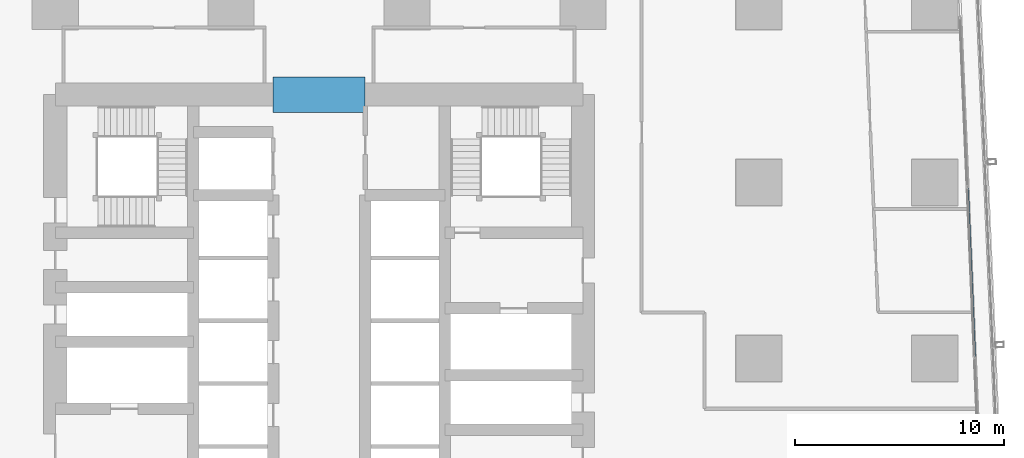
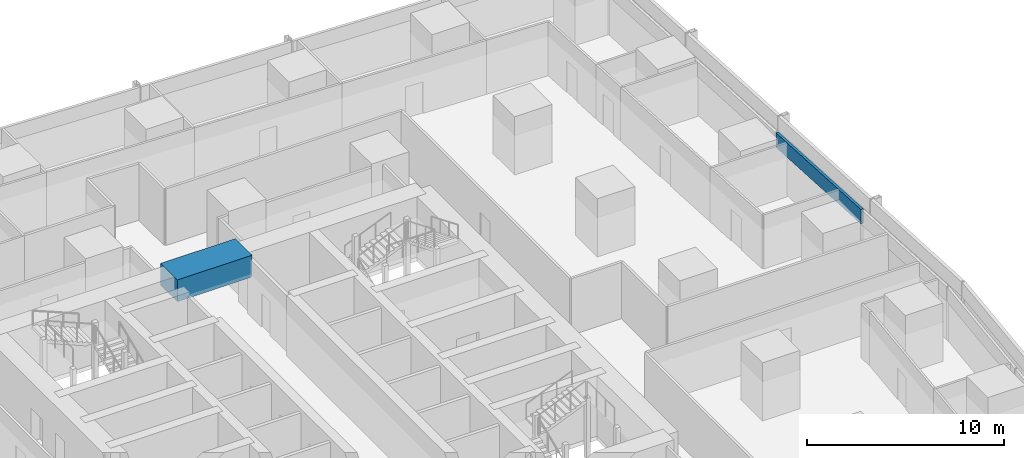
# One storey, part 19 of 45: 1 beam, 1 member, 1 element without a shape of its own.
"""IFC4 building model written with IfcOpenShell, lengths in metres."""

import ifcopenshell
import ifcopenshell.guid

model = None  # the IFC model being written
_history = None  # IfcOwnerHistory: only IFC2X3 demands one
_inside = {}  # id of a spatial element -> (the spatial element, [elements in it])
_under = {}  # id of a project, library or spatial element -> (it, [spatial elements below it])
_declared = {}  # id of a project -> (the project, [libraries it declares])
_typed = {}  # id of a type object -> (the type object, [elements of that type])
_made_of = {}  # id of a material, layer set ... -> (it, [elements and type objects made of it])


def new_model(schema):
    """Start an empty IFC model of exactly this schema.

    Asked for "IFC4X3", IfcOpenShell would pick the latest addendum, in which some entities
    have other attributes; the version numbers below select the first issue.
    IFC2X3 requires an IfcOwnerHistory on every rooted entity: one is made here for all.
    """
    global model, _history
    if schema == "IFC4X3":
        model = ifcopenshell.file(schema_version=(4, 3, 0, 0))
    else:
        model = ifcopenshell.file(schema=schema)
    _inside.clear()
    _under.clear()
    _declared.clear()
    _typed.clear()
    _made_of.clear()
    _history = None
    if model.schema == "IFC2X3":
        org = make("IfcOrganization", Name="unknown")
        user = make(
            "IfcPersonAndOrganization",
            ThePerson=make("IfcPerson", FamilyName="unknown"),
            TheOrganization=org,
        )
        app = make(
            "IfcApplication",
            ApplicationDeveloper=org,
            Version="unknown",
            ApplicationFullName="unknown",
            ApplicationIdentifier="unknown",
        )
        _history = make(
            "IfcOwnerHistory",
            OwningUser=user,
            OwningApplication=app,
            ChangeAction="ADDED",
            CreationDate=0,
        )
    return model


def make(cls, **values):
    """One entity of the class cls with the attributes given. An attribute that is None is left unset."""
    return model.create_entity(
        cls, **{name: value for name, value in values.items() if value is not None}
    )


def rooted(cls, **values):
    """An entity with a GlobalId (a new one), such as an element, a storey or a relation."""
    return make(cls, GlobalId=ifcopenshell.guid.new(), OwnerHistory=_history, **values)


def si_unit(unit_type, name, prefix=None):
    """IfcSIUnit, for example si_unit("LENGTHUNIT", "METRE", prefix="MILLI")."""
    return make("IfcSIUnit", UnitType=unit_type, Prefix=prefix, Name=name)


def assignment(units):
    """IfcUnitAssignment: the units of a project."""
    return None if units is None else make("IfcUnitAssignment", Units=units)


def point(xyz):
    """IfcCartesianPoint."""
    return None if xyz is None else make("IfcCartesianPoint", Coordinates=xyz)


def direction(xyz):
    """IfcDirection."""
    return None if xyz is None else make("IfcDirection", DirectionRatios=xyz)


def frame(location, z_axis=None, x_axis=None):
    """IfcAxis2Placement3D, a coordinate frame: its origin and axes. An axis left out is left unset."""
    return make(
        "IfcAxis2Placement3D",
        Location=point(location),
        Axis=direction(z_axis),
        RefDirection=direction(x_axis),
    )


def frame_2d(location, x_axis=None):
    """IfcAxis2Placement2D, a coordinate frame in the plane: its origin and x axis."""
    return make(
        "IfcAxis2Placement2D", Location=point(location), RefDirection=direction(x_axis)
    )


def origin():
    """The frame at (0, 0, 0) with its axes left unset."""
    return frame((0.0, 0.0, 0.0))


def origin_2d():
    """The frame at (0, 0) in the plane with its x axis left unset."""
    return frame_2d((0.0, 0.0))


def place(relative_to, where):
    """IfcLocalPlacement: puts the frame where relative to a parent placement (None: the world)."""
    return make(
        "IfcLocalPlacement", PlacementRelTo=relative_to, RelativePlacement=where
    )


def context(
    kind, dimensions, precision=None, world=None, true_north=None, identifier=None
):
    """IfcGeometricRepresentationContext, for example the 3D "Model" context."""
    return make(
        "IfcGeometricRepresentationContext",
        ContextIdentifier=identifier,
        ContextType=kind,
        CoordinateSpaceDimension=dimensions,
        Precision=precision,
        WorldCoordinateSystem=world,
        TrueNorth=true_north,
    )


def subcontext(parent, identifier, kind, view, scale=None):
    """IfcGeometricRepresentationSubContext, for example "Body" below "Model"."""
    return make(
        "IfcGeometricRepresentationSubContext",
        ContextIdentifier=identifier,
        ContextType=kind,
        ParentContext=parent,
        TargetScale=scale,
        TargetView=view,
    )


def project(units=None, contexts=None):
    """IfcProject with its units and contexts."""
    return rooted(
        "IfcProject",
        Name="project",
        RepresentationContexts=contexts,
        UnitsInContext=assignment(units),
    )


def spatial(cls, under=None, at=None, **own):
    """A site, building, storey or space (cls), placed at a placement, below another one or the project."""
    s = rooted(cls, ObjectPlacement=at, **own)
    if under is not None:
        _under.setdefault(under.id(), (under, []))[1].append(s)
    return s


def profile(cls, at=None, kind="AREA", **sizes):
    """A parametric profile (cls). Its sizes go by their IFC names, for example OverallWidth=200.0."""
    return make(cls, ProfileType=kind, Position=at, **sizes)


def rectangle(**sizes):
    """IfcRectangleProfileDef."""
    return profile("IfcRectangleProfileDef", **sizes)


def hollow_rectangle(**sizes):
    """IfcRectangleHollowProfileDef."""
    return profile("IfcRectangleHollowProfileDef", **sizes)


def extrude(swept, where, along, depth):
    """IfcExtrudedAreaSolid: the profile swept, set in the frame where, extruded along a direction by depth."""
    return make(
        "IfcExtrudedAreaSolid",
        SweptArea=swept,
        Position=where,
        ExtrudedDirection=direction(along),
        Depth=depth,
    )


def shape(context_of_items, identifier, shape_type, items):
    """IfcShapeRepresentation: the items that make up one representation, for example the "Body"."""
    return make(
        "IfcShapeRepresentation",
        ContextOfItems=context_of_items,
        RepresentationIdentifier=identifier,
        RepresentationType=shape_type,
        Items=items,
    )


def material(Name=None, Category=None):
    """IfcMaterial."""
    return make("IfcMaterial", Name=Name, Category=Category)


def material_profile(
    of_material, cross_section, Name=None, Category=None, Priority=None
):
    """IfcMaterialProfile: a cross section and its material."""
    return make(
        "IfcMaterialProfile",
        Name=Name,
        Material=of_material,
        Profile=cross_section,
        Priority=Priority,
        Category=Category,
    )


def profile_set(profiles, Name=None, composite=None):
    """IfcMaterialProfileSet."""
    return make(
        "IfcMaterialProfileSet",
        Name=Name,
        MaterialProfiles=profiles,
        CompositeProfile=composite,
    )


def made_of(thing, what):
    """Note that an element or type object is made of a material, layer set ...; save() writes the relation."""
    if what is not None:
        _made_of.setdefault(what.id(), (what, []))[1].append(thing)
    return thing


def type_object(cls, material=None, **own):
    """A type object (cls), such as IfcWallType, which elements share."""
    return made_of(rooted(cls, **own), material)


def element(
    cls,
    number,
    at=None,
    inside=None,
    cuts=None,
    type_object=None,
    material=None,
    context=None,
    identifier="Body",
    shape_type=None,
    held_by="IfcProductDefinitionShape",
    body=None,
    shapes=None,
    **own,
):
    """One element of the class cls, such as IfcWall. Its Tag is "e" and its number.

    at: its placement. inside: the storey or other place that contains it. cuts: it is an
    opening in that element (IfcRelVoidsElement). A single representation is given by context,
    identifier, shape_type and body (its items); several are given by shapes. held_by: the class
    of the entity that holds the representations. save() writes the other relations.
    """
    e = rooted(cls, Tag="e%d" % number, ObjectPlacement=at, **own)
    if body is not None:
        shapes = [shape(context, identifier, shape_type, body)]
    if shapes is not None:
        e.Representation = make(held_by, Representations=shapes)
    if inside is not None:
        _inside.setdefault(inside.id(), (inside, []))[1].append(e)
    if cuts is not None:
        rooted(
            "IfcRelVoidsElement", RelatingBuildingElement=cuts, RelatedOpeningElement=e
        )
    if type_object is not None:
        _typed.setdefault(type_object.id(), (type_object, []))[1].append(e)
    return made_of(e, material)


def aggregate(whole, parts):
    """IfcRelAggregates: a whole, such as a stair, and the parts it consists of."""
    return rooted("IfcRelAggregates", RelatingObject=whole, RelatedObjects=parts)


def save(model, path):
    """Write the relations noted so far, then the file.

    IfcRelAggregates (storeys below a building ...), IfcRelContainedInSpatialStructure (elements
    in a storey), IfcRelDefinesByType, IfcRelAssociatesMaterial and IfcRelDeclares: one each for
    every whole, place, type object, material and project.
    """
    for whole, parts in _under.values():
        aggregate(whole, parts)
    for where, things in _inside.values():
        rooted(
            "IfcRelContainedInSpatialStructure",
            RelatedElements=things,
            RelatingStructure=where,
        )
    for kind, things in _typed.values():
        rooted("IfcRelDefinesByType", RelatedObjects=things, RelatingType=kind)
    for what, things in _made_of.values():
        rooted("IfcRelAssociatesMaterial", RelatedObjects=things, RelatingMaterial=what)
    for by, libraries in _declared.values():
        rooted("IfcRelDeclares", RelatingContext=by, RelatedDefinitions=libraries)
    model.write(path)


model = new_model("IFC4")

# Units and contexts
model_context = context("Model", 3, precision=1e-05, world=origin(), true_north=direction((0.0, 1.0)))
body_context = subcontext(model_context, "Body", "Model", "MODEL_VIEW")
ifc_project = project(units=[si_unit("LENGTHUNIT", "METRE"), si_unit("AREAUNIT", "SQUARE_METRE"), si_unit("VOLUMEUNIT", "CUBIC_METRE"), si_unit("PLANEANGLEUNIT", "RADIAN"), si_unit("MASSUNIT", "GRAM", prefix="KILO")], contexts=[model_context])

# Site, building, storey
site_placement = place(None, origin())
site = spatial("IfcSite", under=ifc_project, at=site_placement, CompositionType="ELEMENT")
building_placement = place(site_placement, origin())
building = spatial("IfcBuilding", under=site, at=building_placement, Name="Rekha Terrace Tower", CompositionType="ELEMENT")
storey_placement = place(building_placement, frame((0.0, 0.0, 32.89990234375)))
storey = spatial("IfcBuildingStorey", under=building, at=storey_placement, Name="L07", CompositionType="ELEMENT", Elevation=32.89990234375)

# Curtain wall, member
ifc_material_1 = material(Name="Aluminium framing", Category="aluminium")
curtain_wall_type = type_object("IfcCurtainWallType", Name="CW1 double skin inner glazing", PredefinedType="USERDEFINED", material=ifc_material_1)
curtain_wall_placement = place(storey_placement, origin())
curtain_wall = element("IfcCurtainWall", 1, at=curtain_wall_placement, inside=storey, type_object=curtain_wall_type, Name="CW1 double skin inner glazing", ObjectType="DOUBLE SKIN INNER GLAZING", PredefinedType="USERDEFINED")
ifc_material_2 = material(Name="Insulated aluminium spandrel box", Category="aluminium")
ifc_material_profile_1 = material_profile(ifc_material_2, hollow_rectangle(XDim=0.14990234375, YDim=0.89990234375, WallThickness=0.0029296875, at=origin_2d()), Name="AL SPANDREL BOX 150x900")
ifc_profile_set_1 = profile_set([ifc_material_profile_1], Name="Insulated aluminium spandrel box")
member_type = type_object("IfcMemberType", Name="CW1 spandrel transom 150 x 900", PredefinedType="USERDEFINED", material=ifc_profile_set_1)
member_placement = place(storey_placement, frame((69.08935546875, 33.682861328125, 3.050048828125), z_axis=(-0.042698394831, 0.999088007674, 0.0), x_axis=(-0.999088007674, -0.042698394831, 0.0)))
member = element("IfcMember", 2, at=member_placement, type_object=member_type, Name="CW1 spandrel transom 2", ObjectType="TRANSOM", PredefinedType="USERDEFINED", context=body_context, shape_type="SweptSolid", body=[
    extrude(hollow_rectangle(XDim=0.14990234375, YDim=0.89990234375, WallThickness=0.0029296875, at=origin_2d()), origin(), (0.0, 0.0, 1.0), 8.073486328125),
])
aggregate(curtain_wall, [member])

# Beam
ifc_material_3 = material(Name="Concrete M70", Category="concrete")
ifc_material_profile_2 = material_profile(ifc_material_3, rectangle(XDim=1.699951171875, YDim=1.35009765625, at=origin_2d()), Name="RC 1700x1350")
ifc_profile_set_2 = profile_set([ifc_material_profile_2], Name="Concrete M70")
beam_type = type_object("IfcBeamType", Name="LB1A 1700x1350 diagonally reinforced coupling beam", PredefinedType="LINTEL", material=ifc_profile_set_2)
beam_placement = place(storey_placement, frame((35.60009765625, 46.199951171875, 3.0751953125), z_axis=(1.0, 0.0, 0.0), x_axis=(0.0, 1.0, 0.0)))
element("IfcBeam", 3, at=beam_placement, inside=storey, type_object=beam_type, Name="Coupling beam LB1A N L07", PredefinedType="LINTEL", context=body_context, shape_type="SweptSolid", body=[
    extrude(rectangle(XDim=1.699951171875, YDim=1.35009765625, at=origin_2d()), origin(), (0.0, 0.0, 1.0), 4.39990234375),
])

save(model, "model.ifc")
